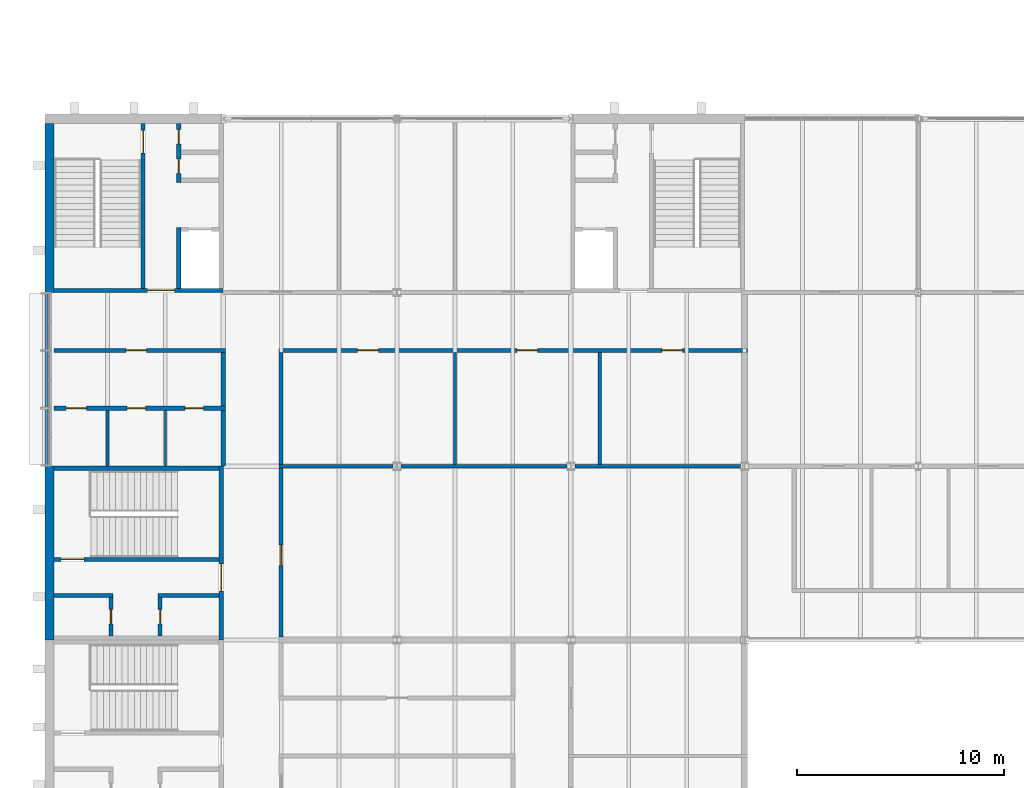
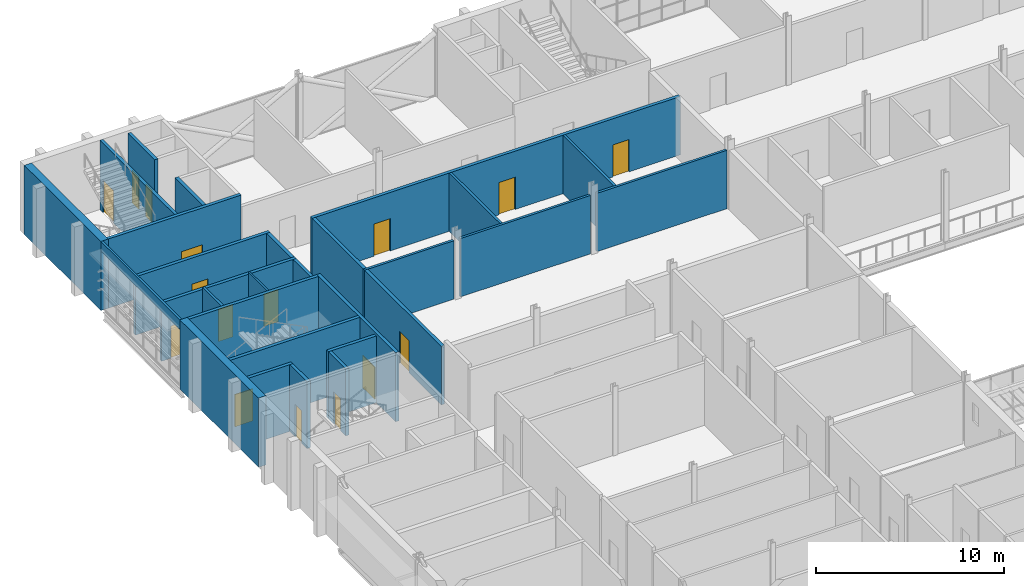
# One storey, part 90 of 129: 28 walls, 16 doors, 16 openings.
"""IFC4 building model written with IfcOpenShell, lengths in metres."""

import ifcopenshell
import ifcopenshell.guid

model = None  # the IFC model being written
_history = None  # IfcOwnerHistory: only IFC2X3 demands one
_inside = {}  # id of a spatial element -> (the spatial element, [elements in it])
_under = {}  # id of a project, library or spatial element -> (it, [spatial elements below it])
_declared = {}  # id of a project -> (the project, [libraries it declares])
_typed = {}  # id of a type object -> (the type object, [elements of that type])
_made_of = {}  # id of a material, layer set ... -> (it, [elements and type objects made of it])


def new_model(schema):
    """Start an empty IFC model of exactly this schema.

    Asked for "IFC4X3", IfcOpenShell would pick the latest addendum, in which some entities
    have other attributes; the version numbers below select the first issue.
    IFC2X3 requires an IfcOwnerHistory on every rooted entity: one is made here for all.
    """
    global model, _history
    if schema == "IFC4X3":
        model = ifcopenshell.file(schema_version=(4, 3, 0, 0))
    else:
        model = ifcopenshell.file(schema=schema)
    _inside.clear()
    _under.clear()
    _declared.clear()
    _typed.clear()
    _made_of.clear()
    _history = None
    if model.schema == "IFC2X3":
        org = make("IfcOrganization", Name="unknown")
        user = make(
            "IfcPersonAndOrganization",
            ThePerson=make("IfcPerson", FamilyName="unknown"),
            TheOrganization=org,
        )
        app = make(
            "IfcApplication",
            ApplicationDeveloper=org,
            Version="unknown",
            ApplicationFullName="unknown",
            ApplicationIdentifier="unknown",
        )
        _history = make(
            "IfcOwnerHistory",
            OwningUser=user,
            OwningApplication=app,
            ChangeAction="ADDED",
            CreationDate=0,
        )
    return model


def make(cls, **values):
    """One entity of the class cls with the attributes given. An attribute that is None is left unset."""
    return model.create_entity(
        cls, **{name: value for name, value in values.items() if value is not None}
    )


def rooted(cls, **values):
    """An entity with a GlobalId (a new one), such as an element, a storey or a relation."""
    return make(cls, GlobalId=ifcopenshell.guid.new(), OwnerHistory=_history, **values)


def si_unit(unit_type, name, prefix=None):
    """IfcSIUnit, for example si_unit("LENGTHUNIT", "METRE", prefix="MILLI")."""
    return make("IfcSIUnit", UnitType=unit_type, Prefix=prefix, Name=name)


def assignment(units):
    """IfcUnitAssignment: the units of a project."""
    return None if units is None else make("IfcUnitAssignment", Units=units)


def point(xyz):
    """IfcCartesianPoint."""
    return None if xyz is None else make("IfcCartesianPoint", Coordinates=xyz)


def direction(xyz):
    """IfcDirection."""
    return None if xyz is None else make("IfcDirection", DirectionRatios=xyz)


def frame(location, z_axis=None, x_axis=None):
    """IfcAxis2Placement3D, a coordinate frame: its origin and axes. An axis left out is left unset."""
    return make(
        "IfcAxis2Placement3D",
        Location=point(location),
        Axis=direction(z_axis),
        RefDirection=direction(x_axis),
    )


def frame_2d(location, x_axis=None):
    """IfcAxis2Placement2D, a coordinate frame in the plane: its origin and x axis."""
    return make(
        "IfcAxis2Placement2D", Location=point(location), RefDirection=direction(x_axis)
    )


def origin():
    """The frame at (0, 0, 0) with its axes left unset."""
    return frame((0.0, 0.0, 0.0))


def place(relative_to, where):
    """IfcLocalPlacement: puts the frame where relative to a parent placement (None: the world)."""
    return make(
        "IfcLocalPlacement", PlacementRelTo=relative_to, RelativePlacement=where
    )


def context(
    kind, dimensions, precision=None, world=None, true_north=None, identifier=None
):
    """IfcGeometricRepresentationContext, for example the 3D "Model" context."""
    return make(
        "IfcGeometricRepresentationContext",
        ContextIdentifier=identifier,
        ContextType=kind,
        CoordinateSpaceDimension=dimensions,
        Precision=precision,
        WorldCoordinateSystem=world,
        TrueNorth=true_north,
    )


def subcontext(parent, identifier, kind, view, scale=None):
    """IfcGeometricRepresentationSubContext, for example "Body" below "Model"."""
    return make(
        "IfcGeometricRepresentationSubContext",
        ContextIdentifier=identifier,
        ContextType=kind,
        ParentContext=parent,
        TargetScale=scale,
        TargetView=view,
    )


def project(units=None, contexts=None):
    """IfcProject with its units and contexts."""
    return rooted(
        "IfcProject",
        Name="project",
        RepresentationContexts=contexts,
        UnitsInContext=assignment(units),
    )


def spatial(cls, under=None, at=None, **own):
    """A site, building, storey or space (cls), placed at a placement, below another one or the project."""
    s = rooted(cls, ObjectPlacement=at, **own)
    if under is not None:
        _under.setdefault(under.id(), (under, []))[1].append(s)
    return s


def profile(cls, at=None, kind="AREA", **sizes):
    """A parametric profile (cls). Its sizes go by their IFC names, for example OverallWidth=200.0."""
    return make(cls, ProfileType=kind, Position=at, **sizes)


def rectangle(**sizes):
    """IfcRectangleProfileDef."""
    return profile("IfcRectangleProfileDef", **sizes)


def extrude(swept, where, along, depth):
    """IfcExtrudedAreaSolid: the profile swept, set in the frame where, extruded along a direction by depth."""
    return make(
        "IfcExtrudedAreaSolid",
        SweptArea=swept,
        Position=where,
        ExtrudedDirection=direction(along),
        Depth=depth,
    )


def shape(context_of_items, identifier, shape_type, items):
    """IfcShapeRepresentation: the items that make up one representation, for example the "Body"."""
    return make(
        "IfcShapeRepresentation",
        ContextOfItems=context_of_items,
        RepresentationIdentifier=identifier,
        RepresentationType=shape_type,
        Items=items,
    )


def material(Name=None, Category=None):
    """IfcMaterial."""
    return make("IfcMaterial", Name=Name, Category=Category)


def layer(
    of_material, thickness, ventilated=None, Name=None, Category=None, Priority=None
):
    """IfcMaterialLayer: one layer of a wall or slab, of a material (None: an air gap)."""
    return make(
        "IfcMaterialLayer",
        Material=of_material,
        LayerThickness=thickness,
        IsVentilated=ventilated,
        Name=Name,
        Category=Category,
        Priority=Priority,
    )


def layer_set(layers, Name=None):
    """IfcMaterialLayerSet."""
    return make("IfcMaterialLayerSet", MaterialLayers=layers, LayerSetName=Name)


def made_of(thing, what):
    """Note that an element or type object is made of a material, layer set ...; save() writes the relation."""
    if what is not None:
        _made_of.setdefault(what.id(), (what, []))[1].append(thing)
    return thing


def type_object(cls, material=None, **own):
    """A type object (cls), such as IfcWallType, which elements share."""
    return made_of(rooted(cls, **own), material)


def element(
    cls,
    number,
    at=None,
    inside=None,
    cuts=None,
    type_object=None,
    material=None,
    context=None,
    identifier="Body",
    shape_type=None,
    held_by="IfcProductDefinitionShape",
    body=None,
    shapes=None,
    **own,
):
    """One element of the class cls, such as IfcWall. Its Tag is "e" and its number.

    at: its placement. inside: the storey or other place that contains it. cuts: it is an
    opening in that element (IfcRelVoidsElement). A single representation is given by context,
    identifier, shape_type and body (its items); several are given by shapes. held_by: the class
    of the entity that holds the representations. save() writes the other relations.
    """
    e = rooted(cls, Tag="e%d" % number, ObjectPlacement=at, **own)
    if body is not None:
        shapes = [shape(context, identifier, shape_type, body)]
    if shapes is not None:
        e.Representation = make(held_by, Representations=shapes)
    if inside is not None:
        _inside.setdefault(inside.id(), (inside, []))[1].append(e)
    if cuts is not None:
        rooted(
            "IfcRelVoidsElement", RelatingBuildingElement=cuts, RelatedOpeningElement=e
        )
    if type_object is not None:
        _typed.setdefault(type_object.id(), (type_object, []))[1].append(e)
    return made_of(e, material)


def fill(opening, filler):
    """IfcRelFillsElement: the door or window that sits in an opening."""
    return rooted(
        "IfcRelFillsElement",
        RelatingOpeningElement=opening,
        RelatedBuildingElement=filler,
    )


def aggregate(whole, parts):
    """IfcRelAggregates: a whole, such as a stair, and the parts it consists of."""
    return rooted("IfcRelAggregates", RelatingObject=whole, RelatedObjects=parts)


def save(model, path):
    """Write the relations noted so far, then the file.

    IfcRelAggregates (storeys below a building ...), IfcRelContainedInSpatialStructure (elements
    in a storey), IfcRelDefinesByType, IfcRelAssociatesMaterial and IfcRelDeclares: one each for
    every whole, place, type object, material and project.
    """
    for whole, parts in _under.values():
        aggregate(whole, parts)
    for where, things in _inside.values():
        rooted(
            "IfcRelContainedInSpatialStructure",
            RelatedElements=things,
            RelatingStructure=where,
        )
    for kind, things in _typed.values():
        rooted("IfcRelDefinesByType", RelatedObjects=things, RelatingType=kind)
    for what, things in _made_of.values():
        rooted("IfcRelAssociatesMaterial", RelatedObjects=things, RelatingMaterial=what)
    for by, libraries in _declared.values():
        rooted("IfcRelDeclares", RelatingContext=by, RelatedDefinitions=libraries)
    model.write(path)


model = new_model("IFC4")

# Units and contexts
model_context = context("Model", 3, precision=1e-05, world=origin(), true_north=direction((0.0, 1.0)))
body_context = subcontext(model_context, "Body", "Model", "MODEL_VIEW")
ifc_project = project(units=[si_unit("LENGTHUNIT", "METRE"), si_unit("AREAUNIT", "SQUARE_METRE"), si_unit("VOLUMEUNIT", "CUBIC_METRE"), si_unit("PLANEANGLEUNIT", "RADIAN"), si_unit("MASSUNIT", "GRAM", prefix="KILO")], contexts=[model_context])

# Site, building, storey
site_placement = place(None, origin())
site = spatial("IfcSite", under=ifc_project, at=site_placement, CompositionType="ELEMENT")
building_placement = place(site_placement, origin())
building = spatial("IfcBuilding", under=site, at=building_placement, Name="Ardhachandra Cancer Care Centre", CompositionType="ELEMENT")
storey_placement = place(building_placement, frame((0.0, 0.0, 4.5)))
storey = spatial("IfcBuildingStorey", under=building, at=storey_placement, Name="L01", CompositionType="ELEMENT", Elevation=4.5)

# Wall, openings, doors
ifc_material_1 = material(Name="Gypsum board corridor partition on steel studs", Category="steel")
ifc_layer_1 = layer(ifc_material_1, 0.199951171875)
ifc_layer_set_1 = layer_set([ifc_layer_1], Name="Gypsum board corridor partition on steel studs")
wall_type_1 = type_object("IfcWallType", Name="CORRIDOR WALL 200", PredefinedType="PARTITIONING", material=ifc_layer_set_1)
wall_1_placement = place(storey_placement, frame((11.02490234375, 82.60009765625, 0.0), z_axis=(0.0, 0.0, 1.0), x_axis=(1.0, 0.0, 0.0)))
wall_1 = element("IfcWall", 1, at=wall_1_placement, inside=storey, type_object=wall_type_1, Name="R/wall/L01/h0082600_0011025", PredefinedType="PARTITIONING", context=body_context, shape_type="SweptSolid", body=[
    extrude(rectangle(XDim=8.275146484375, YDim=0.199951171875, at=frame_2d((4.1376953125, 0.0))), origin(), (0.0, 0.0, 1.0), 3.800048828125),
])
opening_1_placement = place(wall_1_placement, frame((0.574951171875, 0.0, 0.0)))
opening_1 = element("IfcOpeningElement", 2, at=opening_1_placement, cuts=wall_1, Name="Opening L01-0019", PredefinedType="OPENING", context=body_context, shape_type="SweptSolid", body=[
    extrude(rectangle(XDim=1.0, YDim=2.10009765625, at=frame_2d((0.5, 1.050048828125))), frame((0.0, 0.10986328125, 0.0), z_axis=(0.0, -1.0, 0.0), x_axis=(1.0, 0.0, 0.0)), (0.0, 0.0, 1.0), 0.219970703125),
])
opening_2_placement = place(wall_1_placement, frame((3.52490234375, 0.0, 0.0)))
opening_2 = element("IfcOpeningElement", 3, at=opening_2_placement, cuts=wall_1, Name="Opening L01-0020", PredefinedType="OPENING", context=body_context, shape_type="SweptSolid", body=[
    extrude(rectangle(XDim=0.89990234375, YDim=2.10009765625, at=frame_2d((0.449951171875, 1.050048828125))), frame((0.0, 0.10986328125, 0.0), z_axis=(0.0, -1.0, 0.0), x_axis=(1.0, 0.0, 0.0)), (0.0, 0.0, 1.0), 0.219970703125),
])
opening_3_placement = place(wall_1_placement, frame((6.324951171875, 0.0, 0.0)))
opening_3 = element("IfcOpeningElement", 4, at=opening_3_placement, cuts=wall_1, Name="Opening L01-0021", PredefinedType="OPENING", context=body_context, shape_type="SweptSolid", body=[
    extrude(rectangle(XDim=0.89990234375, YDim=2.10009765625, at=frame_2d((0.449951171875, 1.050048828125))), frame((0.0, 0.10986328125, 0.0), z_axis=(0.0, -1.0, 0.0), x_axis=(1.0, 0.0, 0.0)), (0.0, 0.0, 1.0), 0.219970703125),
])
ifc_material_2 = material(Name="Timber fire door with smoke seals", Category="wood")
door_type_1 = type_object("IfcDoorType", Name="FIRE DOOR SINGLE 1000x2100 FD30S", OperationType="NOTDEFINED", PredefinedType="DOOR", material=ifc_material_2)
door_1_placement = place(opening_1_placement, origin())
door_1 = element("IfcDoor", 5, at=door_1_placement, inside=storey, type_object=door_type_1, Name="Door L01-0019", OperationType="SINGLE_SWING_RIGHT", OverallHeight=2.10009765625, OverallWidth=1.0, PredefinedType="DOOR", context=body_context, shape_type="SweptSolid", body=[
    extrude(rectangle(XDim=1.0, YDim=2.10009765625, at=frame_2d((0.5, 1.050048828125))), frame((0.0, 0.02490234375, 0.0), z_axis=(0.0, -1.0, 0.0), x_axis=(1.0, 0.0, 0.0)), (0.0, 0.0, 1.0), 0.050048828125),
])
fill(opening_1, door_1)
ifc_material_3 = material(Name="Timber fire door with smoke seals", Category="wood")
door_type_2 = type_object("IfcDoorType", Name="FIRE DOOR WC 900x2100 FD30S", OperationType="NOTDEFINED", PredefinedType="DOOR", material=ifc_material_3)
door_2_placement = place(opening_2_placement, origin())
door_2 = element("IfcDoor", 6, at=door_2_placement, inside=storey, type_object=door_type_2, Name="Door L01-0020", OperationType="SINGLE_SWING_RIGHT", OverallHeight=2.10009765625, OverallWidth=0.89990234375, PredefinedType="DOOR", context=body_context, shape_type="SweptSolid", body=[
    extrude(rectangle(XDim=0.89990234375, YDim=2.10009765625, at=frame_2d((0.449951171875, 1.050048828125))), frame((0.0, 0.02490234375, 0.0), z_axis=(0.0, -1.0, 0.0), x_axis=(1.0, 0.0, 0.0)), (0.0, 0.0, 1.0), 0.050048828125),
])
fill(opening_2, door_2)
door_3_placement = place(opening_3_placement, origin())
door_3 = element("IfcDoor", 7, at=door_3_placement, inside=storey, type_object=door_type_2, Name="Door L01-0021", OperationType="SINGLE_SWING_LEFT", OverallHeight=2.10009765625, OverallWidth=0.89990234375, PredefinedType="DOOR", context=body_context, shape_type="SweptSolid", body=[
    extrude(rectangle(XDim=0.89990234375, YDim=2.10009765625, at=frame_2d((0.449951171875, 1.050048828125))), frame((0.0, 0.02490234375, 0.0), z_axis=(0.0, -1.0, 0.0), x_axis=(1.0, 0.0, 0.0)), (0.0, 0.0, 1.0), 0.050048828125),
])
fill(opening_3, door_3)

# Wall, opening, door
wall_2_placement = place(storey_placement, frame((11.02490234375, 85.39990234375, 0.0), z_axis=(0.0, 0.0, 1.0), x_axis=(1.0, 0.0, 0.0)))
wall_2 = element("IfcWall", 8, at=wall_2_placement, inside=storey, type_object=wall_type_1, Name="R/wall/L01/h0085400_0011025", PredefinedType="PARTITIONING", context=body_context, shape_type="SweptSolid", body=[
    extrude(rectangle(XDim=8.275146484375, YDim=0.199951171875, at=frame_2d((4.1376953125, 0.0))), origin(), (0.0, 0.0, 1.0), 3.800048828125),
])
opening_4_placement = place(wall_2_placement, frame((3.47509765625, 0.0, 0.0)))
opening_4 = element("IfcOpeningElement", 9, at=opening_4_placement, cuts=wall_2, Name="Opening L01-0022", PredefinedType="OPENING", context=body_context, shape_type="SweptSolid", body=[
    extrude(rectangle(XDim=1.0, YDim=2.10009765625, at=frame_2d((0.5, 1.050048828125))), frame((0.0, 0.10986328125, 0.0), z_axis=(0.0, -1.0, 0.0), x_axis=(1.0, 0.0, 0.0)), (0.0, 0.0, 1.0), 0.219970703125),
])
door_4_placement = place(opening_4_placement, origin())
door_4 = element("IfcDoor", 10, at=door_4_placement, inside=storey, type_object=door_type_1, Name="Door L01-0022", OperationType="SINGLE_SWING_RIGHT", OverallHeight=2.10009765625, OverallWidth=1.0, PredefinedType="DOOR", context=body_context, shape_type="SweptSolid", body=[
    extrude(rectangle(XDim=1.0, YDim=2.10009765625, at=frame_2d((0.5, 1.050048828125))), frame((0.0, 0.02490234375, 0.0), z_axis=(0.0, -1.0, 0.0), x_axis=(1.0, 0.0, 0.0)), (0.0, 0.0, 1.0), 0.050048828125),
])
fill(opening_4, door_4)

# Wall, openings, doors
wall_3_placement = place(storey_placement, frame((21.89990234375, 85.39990234375, 0.0), z_axis=(0.0, 0.0, 1.0), x_axis=(1.0, 0.0, 0.0)))
wall_3 = element("IfcWall", 11, at=wall_3_placement, inside=storey, type_object=wall_type_1, Name="R/wall/L01/h0085400_0021900", PredefinedType="PARTITIONING", context=body_context, shape_type="SweptSolid", body=[
    extrude(rectangle(XDim=22.650146484375, YDim=0.199951171875, at=frame_2d((11.3251953125, 0.0))), origin(), (0.0, 0.0, 1.0), 3.800048828125),
])
opening_5_placement = place(wall_3_placement, frame((3.800048828125, 0.0, 0.0)))
opening_5 = element("IfcOpeningElement", 12, at=opening_5_placement, cuts=wall_3, Name="Opening L01-0023", PredefinedType="OPENING", context=body_context, shape_type="SweptSolid", body=[
    extrude(rectangle(XDim=1.0, YDim=2.10009765625, at=frame_2d((0.5, 1.050048828125))), frame((0.0, 0.10986328125, 0.0), z_axis=(0.0, -1.0, 0.0), x_axis=(1.0, 0.0, 0.0)), (0.0, 0.0, 1.0), 0.219970703125),
])
opening_6_placement = place(wall_3_placement, frame((11.5, 0.0, 0.0)))
opening_6 = element("IfcOpeningElement", 13, at=opening_6_placement, cuts=wall_3, Name="Opening L01-0024", PredefinedType="OPENING", context=body_context, shape_type="SweptSolid", body=[
    extrude(rectangle(XDim=1.0, YDim=2.10009765625, at=frame_2d((0.5, 1.050048828125))), frame((0.0, 0.10986328125, 0.0), z_axis=(0.0, -1.0, 0.0), x_axis=(1.0, 0.0, 0.0)), (0.0, 0.0, 1.0), 0.219970703125),
])
opening_7_placement = place(wall_3_placement, frame((18.5, 0.0, 0.0)))
opening_7 = element("IfcOpeningElement", 14, at=opening_7_placement, cuts=wall_3, Name="Opening L01-0025", PredefinedType="OPENING", context=body_context, shape_type="SweptSolid", body=[
    extrude(rectangle(XDim=1.0, YDim=2.10009765625, at=frame_2d((0.5, 1.050048828125))), frame((0.0, 0.10986328125, 0.0), z_axis=(0.0, -1.0, 0.0), x_axis=(1.0, 0.0, 0.0)), (0.0, 0.0, 1.0), 0.219970703125),
])
door_5_placement = place(opening_5_placement, origin())
door_5 = element("IfcDoor", 15, at=door_5_placement, inside=storey, type_object=door_type_1, Name="Door L01-0023", OperationType="SINGLE_SWING_LEFT", OverallHeight=2.10009765625, OverallWidth=1.0, PredefinedType="DOOR", context=body_context, shape_type="SweptSolid", body=[
    extrude(rectangle(XDim=1.0, YDim=2.10009765625, at=frame_2d((0.5, 1.050048828125))), frame((0.0, 0.02490234375, 0.0), z_axis=(0.0, -1.0, 0.0), x_axis=(1.0, 0.0, 0.0)), (0.0, 0.0, 1.0), 0.050048828125),
])
fill(opening_5, door_5)
door_6_placement = place(opening_6_placement, origin())
door_6 = element("IfcDoor", 16, at=door_6_placement, inside=storey, type_object=door_type_1, Name="Door L01-0024", OperationType="SINGLE_SWING_RIGHT", OverallHeight=2.10009765625, OverallWidth=1.0, PredefinedType="DOOR", context=body_context, shape_type="SweptSolid", body=[
    extrude(rectangle(XDim=1.0, YDim=2.10009765625, at=frame_2d((0.5, 1.050048828125))), frame((0.0, 0.02490234375, 0.0), z_axis=(0.0, -1.0, 0.0), x_axis=(1.0, 0.0, 0.0)), (0.0, 0.0, 1.0), 0.050048828125),
])
fill(opening_6, door_6)
door_7_placement = place(opening_7_placement, origin())
door_7 = element("IfcDoor", 17, at=door_7_placement, inside=storey, type_object=door_type_1, Name="Door L01-0025", OperationType="SINGLE_SWING_LEFT", OverallHeight=2.10009765625, OverallWidth=1.0, PredefinedType="DOOR", context=body_context, shape_type="SweptSolid", body=[
    extrude(rectangle(XDim=1.0, YDim=2.10009765625, at=frame_2d((0.5, 1.050048828125))), frame((0.0, 0.02490234375, 0.0), z_axis=(0.0, -1.0, 0.0), x_axis=(1.0, 0.0, 0.0)), (0.0, 0.0, 1.0), 0.050048828125),
])
fill(opening_7, door_7)

# Walls
wall_4_placement = place(storey_placement, frame((19.199951171875, 79.800048828125, 0.0), z_axis=(0.0, 0.0, 1.0), x_axis=(0.0, 1.0, 0.0)))
element("IfcWall", 18, at=wall_4_placement, inside=storey, type_object=wall_type_1, Name="R/wall/L01/v0019200_0079800", PredefinedType="PARTITIONING", context=body_context, shape_type="SweptSolid", body=[
    extrude(rectangle(XDim=2.699951171875, YDim=0.199951171875, at=frame_2d((1.35009765625, 0.0))), origin(), (0.0, 0.0, 1.0), 3.800048828125),
])
wall_5_placement = place(storey_placement, frame((19.199951171875, 82.699951171875, 0.0), z_axis=(0.0, 0.0, 1.0), x_axis=(0.0, 1.0, 0.0)))
element("IfcWall", 19, at=wall_5_placement, inside=storey, type_object=wall_type_1, Name="R/wall/L01/v0019200_0082700", PredefinedType="PARTITIONING", context=body_context, shape_type="SweptSolid", body=[
    extrude(rectangle(XDim=2.60009765625, YDim=0.199951171875, at=frame_2d((1.300048828125, 0.0))), origin(), (0.0, 0.0, 1.0), 3.800048828125),
])

# Wall, opening, door
wall_6_placement = place(storey_placement, frame((22.0, 71.550048828125, 0.0), z_axis=(0.0, 0.0, 1.0), x_axis=(0.0, 1.0, 0.0)))
wall_6 = element("IfcWall", 20, at=wall_6_placement, inside=storey, type_object=wall_type_1, Name="R/wall/L01/v0022000_0071550", PredefinedType="PARTITIONING", context=body_context, shape_type="SweptSolid", body=[
    extrude(rectangle(XDim=8.175048828125, YDim=0.199951171875, at=frame_2d((4.08740234375, 0.0))), origin(), (0.0, 0.0, 1.0), 3.800048828125),
])
opening_8_placement = place(wall_6_placement, frame((3.449951171875, 0.0, 0.0)))
opening_8 = element("IfcOpeningElement", 21, at=opening_8_placement, cuts=wall_6, Name="Opening L01-0056", PredefinedType="OPENING", context=body_context, shape_type="SweptSolid", body=[
    extrude(rectangle(XDim=1.0, YDim=2.10009765625, at=frame_2d((0.5, 1.050048828125))), frame((0.0, 0.10986328125, 0.0), z_axis=(0.0, -1.0, 0.0), x_axis=(1.0, 0.0, 0.0)), (0.0, 0.0, 1.0), 0.219970703125),
])
door_8_placement = place(opening_8_placement, origin())
door_8 = element("IfcDoor", 22, at=door_8_placement, inside=storey, type_object=door_type_1, Name="Door L01-0056", OperationType="SINGLE_SWING_RIGHT", OverallHeight=2.10009765625, OverallWidth=1.0, PredefinedType="DOOR", context=body_context, shape_type="SweptSolid", body=[
    extrude(rectangle(XDim=1.0, YDim=2.10009765625, at=frame_2d((0.5, 1.050048828125))), frame((0.0, 0.02490234375, 0.0), z_axis=(0.0, -1.0, 0.0), x_axis=(1.0, 0.0, 0.0)), (0.0, 0.0, 1.0), 0.050048828125),
])
fill(opening_8, door_8)

# Walls
wall_7_placement = place(storey_placement, frame((22.0, 79.875, 0.0), z_axis=(0.0, 0.0, 1.0), x_axis=(0.0, 1.0, 0.0)))
element("IfcWall", 23, at=wall_7_placement, inside=storey, type_object=wall_type_1, Name="R/wall/L01/v0022000_0079875", PredefinedType="PARTITIONING", context=body_context, shape_type="SweptSolid", body=[
    extrude(rectangle(XDim=5.425048828125, YDim=0.199951171875, at=frame_2d((2.71240234375, 0.0))), origin(), (0.0, 0.0, 1.0), 3.800048828125),
])
ifc_material_4 = material(Name="Concrete M40", Category="concrete")
ifc_layer_2 = layer(ifc_material_4, 0.449951171875)
ifc_layer_set_2 = layer_set([ifc_layer_2], Name="Concrete M40")
wall_type_2 = type_object("IfcWallType", Name="Core exterior wall RC 450", PredefinedType="SOLIDWALL", material=ifc_layer_set_2)
wall_8_placement = place(storey_placement, frame((10.800048828125, 88.199951171875, 0.0), z_axis=(0.0, 0.0, 1.0), x_axis=(0.0, 1.0, 0.0)))
element("IfcWall", 24, at=wall_8_placement, inside=storey, type_object=wall_type_2, Name="Core wall K4 UW", PredefinedType="SOLIDWALL", context=body_context, shape_type="SweptSolid", body=[
    extrude(rectangle(XDim=8.175048828125, YDim=0.449951171875, at=frame_2d((4.08740234375, 0.0))), origin(), (0.0, 0.0, 1.0), 4.5),
])
wall_9_placement = place(storey_placement, frame((10.800048828125, 79.800048828125, 0.0), z_axis=(0.0, 0.0, 1.0), x_axis=(0.0, -1.0, 0.0)))
element("IfcWall", 25, at=wall_9_placement, inside=storey, type_object=wall_type_2, Name="Core wall K6 FAR", PredefinedType="SOLIDWALL", context=body_context, shape_type="SweptSolid", body=[
    extrude(rectangle(XDim=8.400146484375, YDim=0.449951171875, at=frame_2d((4.2001953125, 0.0))), origin(), (0.0, 0.0, 1.0), 4.5),
])

# Wall, opening, door
ifc_material_5 = material(Name="Concrete M40", Category="concrete")
ifc_layer_3 = layer(ifc_material_5, 0.199951171875)
ifc_layer_set_3 = layer_set([ifc_layer_3], Name="Concrete M40")
wall_type_3 = type_object("IfcWallType", Name="Core wall RC 200", PredefinedType="SOLIDWALL", material=ifc_layer_set_3)
wall_10_placement = place(storey_placement, frame((11.02490234375, 88.300048828125, 0.0), z_axis=(0.0, 0.0, 1.0), x_axis=(1.0, 0.0, 0.0)))
wall_10 = element("IfcWall", 26, at=wall_10_placement, inside=storey, type_object=wall_type_3, Name="Core wall K4 ENT", PredefinedType="SOLIDWALL", context=body_context, shape_type="SweptSolid", body=[
    extrude(rectangle(XDim=8.175048828125, YDim=0.199951171875, at=frame_2d((4.08740234375, 0.0))), origin(), (0.0, 0.0, 1.0), 4.5),
])
opening_9_placement = place(wall_10_placement, frame((4.512451171875, 0.0, 0.0)))
opening_9 = element("IfcOpeningElement", 27, at=opening_9_placement, cuts=wall_10, Name="Opening L01-K04-1", PredefinedType="OPENING", context=body_context, shape_type="SweptSolid", body=[
    extrude(rectangle(XDim=1.300048828125, YDim=2.10009765625, at=frame_2d((0.64990234375, 1.050048828125))), frame((0.0, 0.10986328125, 0.0), z_axis=(0.0, -1.0, 0.0), x_axis=(1.0, 0.0, 0.0)), (0.0, 0.0, 1.0), 0.219970703125),
])
ifc_material_6 = material(Name="Steel door set", Category="steel")
door_type_3 = type_object("IfcDoorType", Name="Core entry double door 1300x2100 FD60", OperationType="DOUBLE_DOOR_DOUBLE_SWING", PredefinedType="DOOR", material=ifc_material_6)
door_9_placement = place(opening_9_placement, origin())
door_9 = element("IfcDoor", 28, at=door_9_placement, inside=storey, type_object=door_type_3, Name="Core entry door", OperationType="DOUBLE_DOOR_DOUBLE_SWING", OverallHeight=2.10009765625, OverallWidth=1.300048828125, PredefinedType="DOOR", context=body_context, shape_type="SweptSolid", body=[
    extrude(rectangle(XDim=1.300048828125, YDim=2.10009765625, at=frame_2d((0.64990234375, 1.050048828125))), frame((0.0, 0.02490234375, 0.0), z_axis=(0.0, -1.0, 0.0), x_axis=(1.0, 0.0, 0.0)), (0.0, 0.0, 1.0), 0.050048828125),
])
fill(opening_9, door_9)

wall_11_placement = place(storey_placement, frame((15.324951171875, 88.39990234375, 0.0), z_axis=(0.0, 0.0, 1.0), x_axis=(0.0, 1.0, 0.0)))
wall_11 = element("IfcWall", 29, at=wall_11_placement, inside=storey, type_object=wall_type_3, Name="Core wall K4 P1", PredefinedType="SOLIDWALL", context=body_context, shape_type="SweptSolid", body=[
    extrude(rectangle(XDim=7.97509765625, YDim=0.199951171875, at=frame_2d((3.987548828125, 0.0))), origin(), (0.0, 0.0, 1.0), 4.5),
])
opening_10_placement = place(wall_11_placement, frame((6.53759765625, 0.0, 0.0)))
opening_10 = element("IfcOpeningElement", 30, at=opening_10_placement, cuts=wall_11, Name="Opening L01-K04-2", PredefinedType="OPENING", context=body_context, shape_type="SweptSolid", body=[
    extrude(rectangle(XDim=1.10009765625, YDim=2.10009765625, at=frame_2d((0.550048828125, 1.050048828125))), frame((0.0, 0.10986328125, 0.0), z_axis=(0.0, -1.0, 0.0), x_axis=(1.0, 0.0, 0.0)), (0.0, 0.0, 1.0), 0.219970703125),
])
ifc_material_7 = material(Name="Steel door set", Category="steel")
door_type_4 = type_object("IfcDoorType", Name="Stair door 1100x2100 FD60S", OperationType="NOTDEFINED", PredefinedType="DOOR", material=ifc_material_7)
door_10_placement = place(opening_10_placement, origin())
door_10 = element("IfcDoor", 31, at=door_10_placement, inside=storey, type_object=door_type_4, Name="Stair door", OperationType="SINGLE_SWING_RIGHT", OverallHeight=2.10009765625, OverallWidth=1.10009765625, PredefinedType="DOOR", context=body_context, shape_type="SweptSolid", body=[
    extrude(rectangle(XDim=1.10009765625, YDim=2.10009765625, at=frame_2d((0.550048828125, 1.050048828125))), frame((0.0, 0.02490234375, 0.0), z_axis=(0.0, -1.0, 0.0), x_axis=(1.0, 0.0, 0.0)), (0.0, 0.0, 1.0), 0.050048828125),
])
fill(opening_10, door_10)

# Wall
wall_12_placement = place(storey_placement, frame((17.050048828125, 88.39990234375, 0.0), z_axis=(0.0, 0.0, 1.0), x_axis=(0.0, 1.0, 0.0)))
element("IfcWall", 32, at=wall_12_placement, inside=storey, type_object=wall_type_3, Name="Core wall K4 P2A", PredefinedType="SOLIDWALL", context=body_context, shape_type="SweptSolid", body=[
    extrude(rectangle(XDim=2.9501953125, YDim=0.199951171875, at=frame_2d((1.47509765625, 0.0))), origin(), (0.0, 0.0, 1.0), 4.5),
])

# Wall, openings, doors
wall_13_placement = place(storey_placement, frame((17.050048828125, 93.52490234375, 0.0), z_axis=(0.0, 0.0, 1.0), x_axis=(0.0, 1.0, 0.0)))
wall_13 = element("IfcWall", 33, at=wall_13_placement, inside=storey, type_object=wall_type_3, Name="Core wall K4 P2B", PredefinedType="SOLIDWALL", context=body_context, shape_type="SweptSolid", body=[
    extrude(rectangle(XDim=2.85009765625, YDim=0.199951171875, at=frame_2d((1.425048828125, 0.0))), origin(), (0.0, 0.0, 1.0), 4.35009765625),
])
opening_11_placement = place(wall_13_placement, frame((0.425048828125, 0.0, 0.0)))
opening_11 = element("IfcOpeningElement", 34, at=opening_11_placement, cuts=wall_13, Name="Opening L01-K04-4", PredefinedType="OPENING", context=body_context, shape_type="SweptSolid", body=[
    extrude(rectangle(XDim=0.699951171875, YDim=2.10009765625, at=frame_2d((0.35009765625, 1.050048828125))), frame((0.0, 0.10986328125, 0.0), z_axis=(0.0, -1.0, 0.0), x_axis=(1.0, 0.0, 0.0)), (0.0, 0.0, 1.0), 0.219970703125),
])
opening_12_placement = place(wall_13_placement, frame((1.85009765625, 0.0, 0.0)))
opening_12 = element("IfcOpeningElement", 35, at=opening_12_placement, cuts=wall_13, Name="Opening L01-K04-5", PredefinedType="OPENING", context=body_context, shape_type="SweptSolid", body=[
    extrude(rectangle(XDim=0.699951171875, YDim=2.10009765625, at=frame_2d((0.35009765625, 1.050048828125))), frame((0.0, 0.10986328125, 0.0), z_axis=(0.0, -1.0, 0.0), x_axis=(1.0, 0.0, 0.0)), (0.0, 0.0, 1.0), 0.219970703125),
])
ifc_material_8 = material(Name="Steel door set", Category="steel")
door_type_5 = type_object("IfcDoorType", Name="Riser access door 700x2100 FD120S", OperationType="NOTDEFINED", PredefinedType="DOOR", material=ifc_material_8)
door_11_placement = place(opening_11_placement, origin())
door_11 = element("IfcDoor", 36, at=door_11_placement, inside=storey, type_object=door_type_5, Name="Riser access door", OperationType="SINGLE_SWING_LEFT", OverallHeight=2.10009765625, OverallWidth=0.699951171875, PredefinedType="DOOR", context=body_context, shape_type="SweptSolid", body=[
    extrude(rectangle(XDim=0.699951171875, YDim=2.10009765625, at=frame_2d((0.35009765625, 1.050048828125))), frame((0.0, 0.02490234375, 0.0), z_axis=(0.0, -1.0, 0.0), x_axis=(1.0, 0.0, 0.0)), (0.0, 0.0, 1.0), 0.050048828125),
])
fill(opening_11, door_11)
door_12_placement = place(opening_12_placement, origin())
door_12 = element("IfcDoor", 37, at=door_12_placement, inside=storey, type_object=door_type_5, Name="Riser access door", OperationType="SINGLE_SWING_RIGHT", OverallHeight=2.10009765625, OverallWidth=0.699951171875, PredefinedType="DOOR", context=body_context, shape_type="SweptSolid", body=[
    extrude(rectangle(XDim=0.699951171875, YDim=2.10009765625, at=frame_2d((0.35009765625, 1.050048828125))), frame((0.0, 0.02490234375, 0.0), z_axis=(0.0, -1.0, 0.0), x_axis=(1.0, 0.0, 0.0)), (0.0, 0.0, 1.0), 0.050048828125),
])
fill(opening_12, door_12)

# Wall, opening, door
wall_14_placement = place(storey_placement, frame((19.10009765625, 79.800048828125, 0.0), z_axis=(0.0, 0.0, 1.0), x_axis=(0.0, -1.0, 0.0)))
wall_14 = element("IfcWall", 38, at=wall_14_placement, inside=storey, type_object=wall_type_3, Name="Core wall K6 ENT", PredefinedType="SOLIDWALL", context=body_context, shape_type="SweptSolid", body=[
    extrude(rectangle(XDim=8.400146484375, YDim=0.199951171875, at=frame_2d((4.2001953125, 0.0))), origin(), (0.0, 0.0, 1.0), 4.5),
])
opening_13_placement = place(wall_14_placement, frame((4.72509765625, 0.0, 0.0)))
opening_13 = element("IfcOpeningElement", 39, at=opening_13_placement, cuts=wall_14, Name="Opening L01-K06-1", PredefinedType="OPENING", context=body_context, shape_type="SweptSolid", body=[
    extrude(rectangle(XDim=1.300048828125, YDim=2.10009765625, at=frame_2d((0.64990234375, 1.050048828125))), frame((0.0, 0.10986328125, 0.0), z_axis=(0.0, -1.0, 0.0), x_axis=(1.0, 0.0, 0.0)), (0.0, 0.0, 1.0), 0.219970703125),
])
door_13_placement = place(opening_13_placement, origin())
door_13 = element("IfcDoor", 40, at=door_13_placement, inside=storey, type_object=door_type_3, Name="Core entry door", OperationType="DOUBLE_DOOR_DOUBLE_SWING", OverallHeight=2.10009765625, OverallWidth=1.300048828125, PredefinedType="DOOR", context=body_context, shape_type="SweptSolid", body=[
    extrude(rectangle(XDim=1.300048828125, YDim=2.10009765625, at=frame_2d((0.64990234375, 1.050048828125))), frame((0.0, 0.02490234375, 0.0), z_axis=(0.0, -1.0, 0.0), x_axis=(1.0, 0.0, 0.0)), (0.0, 0.0, 1.0), 0.050048828125),
])
fill(opening_13, door_13)

# Wall
wall_15_placement = place(storey_placement, frame((19.0, 79.699951171875, 0.0), z_axis=(0.0, 0.0, 1.0), x_axis=(-1.0, 0.0, 0.0)))
element("IfcWall", 41, at=wall_15_placement, inside=storey, type_object=wall_type_3, Name="Core wall K6 UW", PredefinedType="SOLIDWALL", context=body_context, shape_type="SweptSolid", body=[
    extrude(rectangle(XDim=7.97509765625, YDim=0.199951171875, at=frame_2d((3.987548828125, 0.0))), origin(), (0.0, 0.0, 1.0), 4.5),
])

# Wall, opening, door
wall_16_placement = place(storey_placement, frame((19.0, 75.300048828125, 0.0), z_axis=(0.0, 0.0, 1.0), x_axis=(-1.0, 0.0, 0.0)))
wall_16 = element("IfcWall", 42, at=wall_16_placement, inside=storey, type_object=wall_type_3, Name="Core wall K6 P1", PredefinedType="SOLIDWALL", context=body_context, shape_type="SweptSolid", body=[
    extrude(rectangle(XDim=7.97509765625, YDim=0.199951171875, at=frame_2d((3.987548828125, 0.0))), origin(), (0.0, 0.0, 1.0), 4.5),
])
opening_14_placement = place(wall_16_placement, frame((6.53759765625, 0.0, 0.0)))
opening_14 = element("IfcOpeningElement", 43, at=opening_14_placement, cuts=wall_16, Name="Opening L01-K06-2", PredefinedType="OPENING", context=body_context, shape_type="SweptSolid", body=[
    extrude(rectangle(XDim=1.10009765625, YDim=2.10009765625, at=frame_2d((0.550048828125, 1.050048828125))), frame((0.0, 0.10986328125, 0.0), z_axis=(0.0, -1.0, 0.0), x_axis=(1.0, 0.0, 0.0)), (0.0, 0.0, 1.0), 0.219970703125),
])
door_14_placement = place(opening_14_placement, origin())
door_14 = element("IfcDoor", 44, at=door_14_placement, inside=storey, type_object=door_type_4, Name="Stair door", OperationType="SINGLE_SWING_LEFT", OverallHeight=2.10009765625, OverallWidth=1.10009765625, PredefinedType="DOOR", context=body_context, shape_type="SweptSolid", body=[
    extrude(rectangle(XDim=1.10009765625, YDim=2.10009765625, at=frame_2d((0.550048828125, 1.050048828125))), frame((0.0, 0.02490234375, 0.0), z_axis=(0.0, -1.0, 0.0), x_axis=(1.0, 0.0, 0.0)), (0.0, 0.0, 1.0), 0.050048828125),
])
fill(opening_14, door_14)

# Walls
wall_17_placement = place(storey_placement, frame((19.0, 73.550048828125, 0.0), z_axis=(0.0, 0.0, 1.0), x_axis=(-1.0, 0.0, 0.0)))
element("IfcWall", 45, at=wall_17_placement, inside=storey, type_object=wall_type_3, Name="Core wall K6 P2A", PredefinedType="SOLIDWALL", context=body_context, shape_type="SweptSolid", body=[
    extrude(rectangle(XDim=2.949951171875, YDim=0.199951171875, at=frame_2d((1.47509765625, 0.0))), origin(), (0.0, 0.0, 1.0), 4.35009765625),
])
wall_18_placement = place(storey_placement, frame((13.875, 73.550048828125, 0.0), z_axis=(0.0, 0.0, 1.0), x_axis=(-1.0, 0.0, 0.0)))
element("IfcWall", 46, at=wall_18_placement, inside=storey, type_object=wall_type_3, Name="Core wall K6 P2B", PredefinedType="SOLIDWALL", context=body_context, shape_type="SweptSolid", body=[
    extrude(rectangle(XDim=2.85009765625, YDim=0.199951171875, at=frame_2d((1.425048828125, 0.0))), origin(), (0.0, 0.0, 1.0), 4.35009765625),
])

# Wall, opening, door
wall_19_placement = place(storey_placement, frame((16.14990234375, 73.449951171875, 0.0), z_axis=(0.0, 0.0, 1.0), x_axis=(0.0, -1.0, 0.0)))
wall_19 = element("IfcWall", 47, at=wall_19_placement, inside=storey, type_object=wall_type_3, Name="Core wall K6 W1", PredefinedType="SOLIDWALL", context=body_context, shape_type="SweptSolid", body=[
    extrude(rectangle(XDim=1.849853515625, YDim=0.199951171875, at=frame_2d((0.9248046875, 0.0))), origin(), (0.0, 0.0, 1.0), 4.35009765625),
])
opening_15_placement = place(wall_19_placement, frame((0.574951171875, 0.0, 0.0)))
opening_15 = element("IfcOpeningElement", 48, at=opening_15_placement, cuts=wall_19, Name="Opening L01-K06-3", PredefinedType="OPENING", context=body_context, shape_type="SweptSolid", body=[
    extrude(rectangle(XDim=0.699951171875, YDim=2.10009765625, at=frame_2d((0.35009765625, 1.050048828125))), frame((0.0, 0.10986328125, 0.0), z_axis=(0.0, -1.0, 0.0), x_axis=(1.0, 0.0, 0.0)), (0.0, 0.0, 1.0), 0.219970703125),
])
door_15_placement = place(opening_15_placement, origin())
door_15 = element("IfcDoor", 49, at=door_15_placement, inside=storey, type_object=door_type_5, Name="Riser access door", OperationType="SINGLE_SWING_RIGHT", OverallHeight=2.10009765625, OverallWidth=0.699951171875, PredefinedType="DOOR", context=body_context, shape_type="SweptSolid", body=[
    extrude(rectangle(XDim=0.699951171875, YDim=2.10009765625, at=frame_2d((0.35009765625, 1.050048828125))), frame((0.0, 0.02490234375, 0.0), z_axis=(0.0, -1.0, 0.0), x_axis=(1.0, 0.0, 0.0)), (0.0, 0.0, 1.0), 0.050048828125),
])
fill(opening_15, door_15)

wall_20_placement = place(storey_placement, frame((13.77490234375, 73.449951171875, 0.0), z_axis=(0.0, 0.0, 1.0), x_axis=(0.0, -1.0, 0.0)))
wall_20 = element("IfcWall", 50, at=wall_20_placement, inside=storey, type_object=wall_type_3, Name="Core wall K6 W2", PredefinedType="SOLIDWALL", context=body_context, shape_type="SweptSolid", body=[
    extrude(rectangle(XDim=1.849853515625, YDim=0.199951171875, at=frame_2d((0.9248046875, 0.0))), origin(), (0.0, 0.0, 1.0), 4.35009765625),
])
opening_16_placement = place(wall_20_placement, frame((0.574951171875, 0.0, 0.0)))
opening_16 = element("IfcOpeningElement", 51, at=opening_16_placement, cuts=wall_20, Name="Opening L01-K06-4", PredefinedType="OPENING", context=body_context, shape_type="SweptSolid", body=[
    extrude(rectangle(XDim=0.699951171875, YDim=2.10009765625, at=frame_2d((0.35009765625, 1.050048828125))), frame((0.0, 0.10986328125, 0.0), z_axis=(0.0, -1.0, 0.0), x_axis=(1.0, 0.0, 0.0)), (0.0, 0.0, 1.0), 0.219970703125),
])
door_16_placement = place(opening_16_placement, origin())
door_16 = element("IfcDoor", 52, at=door_16_placement, inside=storey, type_object=door_type_5, Name="Riser access door", OperationType="SINGLE_SWING_RIGHT", OverallHeight=2.10009765625, OverallWidth=0.699951171875, PredefinedType="DOOR", context=body_context, shape_type="SweptSolid", body=[
    extrude(rectangle(XDim=0.699951171875, YDim=2.10009765625, at=frame_2d((0.35009765625, 1.050048828125))), frame((0.0, 0.02490234375, 0.0), z_axis=(0.0, -1.0, 0.0), x_axis=(1.0, 0.0, 0.0)), (0.0, 0.0, 1.0), 0.050048828125),
])
fill(opening_16, door_16)

# Walls
ifc_material_9 = material(Name="Precast Concrete M30 fascia panel with brick slip facing", Category="masonry")
ifc_layer_4 = layer(ifc_material_9, 0.1298828125)
ifc_layer_set_4 = layer_set([ifc_layer_4], Name="Precast Concrete M30 fascia panel with brick slip facing")
wall_type_4 = type_object("IfcWallType", Name="Edge beam fascia 130", PredefinedType="SOLIDWALL", material=ifc_layer_set_4)
wall_21_placement = place(storey_placement, frame((10.639892578125, 79.800048828125, 3.8701171875), z_axis=(0.0, 0.0, 1.0), x_axis=(0.0, 1.0, 0.0)))
element("IfcWall", 53, at=wall_21_placement, inside=storey, type_object=wall_type_4, Name="E/fascia/L01/w/0010800_0079800", PredefinedType="SOLIDWALL", context=body_context, shape_type="SweptSolid", body=[
    extrude(rectangle(XDim=8.39990234375, YDim=0.1298828125, at=frame_2d((4.199951171875, 0.0))), origin(), (0.0, 0.0, 1.0), 0.6298828125),
])
ifc_material_10 = material(Name="Gypsum board partition on steel studs", Category="steel")
ifc_layer_5 = layer(ifc_material_10, 0.14990234375)
ifc_layer_set_5 = layer_set([ifc_layer_5], Name="Gypsum board partition on steel studs")
wall_type_5 = type_object("IfcWallType", Name="PARTITION 150", PredefinedType="PARTITIONING", material=ifc_layer_set_5)
wall_22_placement = place(storey_placement, frame((21.89990234375, 79.800048828125, 0.0), z_axis=(0.0, 0.0, 1.0), x_axis=(1.0, 0.0, 0.0)))
element("IfcWall", 54, at=wall_22_placement, inside=storey, type_object=wall_type_5, Name="R/wall/L01/h0079800_0021900", PredefinedType="PARTITIONING", context=body_context, shape_type="SweptSolid", body=[
    extrude(rectangle(XDim=5.504638671875, YDim=0.14990234375, at=frame_2d((2.75244140625, 0.0))), origin(), (0.0, 0.0, 1.0), 3.800048828125),
])
for number, where, z_axis, x_axis, name in (
    (55, (27.79541015625, 79.800048828125, 0.0), (0.0, 0.0, 1.0), (1.0, 0.0, 0.0), "R/wall/L01/h0079800_0027796"),
    (56, (36.195556640625, 79.800048828125, 0.0), (0.0, 0.0, 1.0), (1.0, 0.0, 0.0), "R/wall/L01/h0079800_0036196"),
):
    element("IfcWall", number, at=place(storey_placement, frame(where, z_axis=z_axis, x_axis=x_axis)), inside=storey, type_object=wall_type_5, Name=name, PredefinedType="PARTITIONING", context=body_context, shape_type="SweptSolid", body=[
        extrude(rectangle(XDim=8.009033203125, YDim=0.14990234375, at=frame_2d((4.00439453125, 0.0))), origin(), (0.0, 0.0, 1.0), 3.800048828125),
    ])
for number, where, z_axis, x_axis, name in (
    (57, (30.39990234375, 79.875, 0.0), (0.0, 0.0, 1.0), (0.0, 1.0, 0.0), "R/wall/L01/v0030400_0079875"),
    (58, (37.39990234375, 79.875, 0.0), (0.0, 0.0, 1.0), (0.0, 1.0, 0.0), "R/wall/L01/v0037400_0079875"),
):
    element("IfcWall", number, at=place(storey_placement, frame(where, z_axis=z_axis, x_axis=x_axis)), inside=storey, type_object=wall_type_5, Name=name, PredefinedType="PARTITIONING", context=body_context, shape_type="SweptSolid", body=[
        extrude(rectangle(XDim=5.425048828125, YDim=0.14990234375, at=frame_2d((2.71240234375, 0.0))), origin(), (0.0, 0.0, 1.0), 3.800048828125),
    ])
ifc_material_11 = material(Name="Concrete block masonry", Category="masonry")
ifc_layer_6 = layer(ifc_material_11, 0.10009765625)
ifc_layer_set_6 = layer_set([ifc_layer_6], Name="Concrete block masonry")
wall_type_6 = type_object("IfcWallType", Name="STORE PARTITION 100", PredefinedType="SOLIDWALL", material=ifc_layer_set_6)
wall_23_placement = place(storey_placement, frame((16.39990234375, 79.800048828125, 0.0), z_axis=(0.0, 0.0, 1.0), x_axis=(0.0, 1.0, 0.0)))
element("IfcWall", 59, at=wall_23_placement, inside=storey, type_object=wall_type_6, Name="R/wall/L01/v0016400_0079800", PredefinedType="SOLIDWALL", context=body_context, shape_type="SweptSolid", body=[
    extrude(rectangle(XDim=2.699951171875, YDim=0.10009765625, at=frame_2d((1.35009765625, 0.0))), origin(), (0.0, 0.0, 1.0), 3.949951171875),
])
ifc_material_12 = material(Name="Tiled gypsum board partition on steel studs", Category="steel")
ifc_layer_7 = layer(ifc_material_12, 0.14990234375)
ifc_layer_set_7 = layer_set([ifc_layer_7], Name="Tiled gypsum board partition on steel studs")
wall_type_7 = type_object("IfcWallType", Name="WET ROOM PARTITION 150", PredefinedType="PARTITIONING", material=ifc_layer_set_7)
wall_24_placement = place(storey_placement, frame((13.60009765625, 79.800048828125, 0.0), z_axis=(0.0, 0.0, 1.0), x_axis=(0.0, 1.0, 0.0)))
element("IfcWall", 60, at=wall_24_placement, inside=storey, type_object=wall_type_7, Name="R/wall/L01/v0013600_0079800", PredefinedType="PARTITIONING", context=body_context, shape_type="SweptSolid", body=[
    extrude(rectangle(XDim=2.699951171875, YDim=0.14990234375, at=frame_2d((1.35009765625, 0.0))), origin(), (0.0, 0.0, 1.0), 3.949951171875),
])

save(model, "model.ifc")
